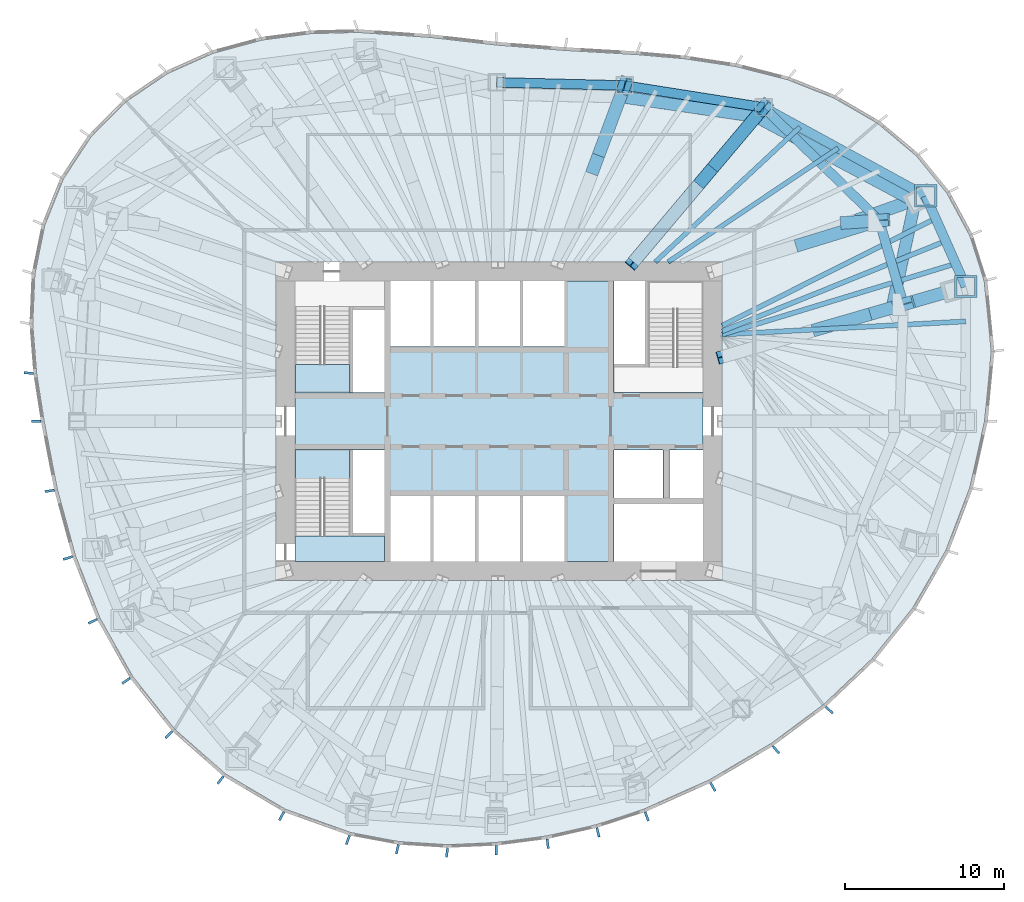
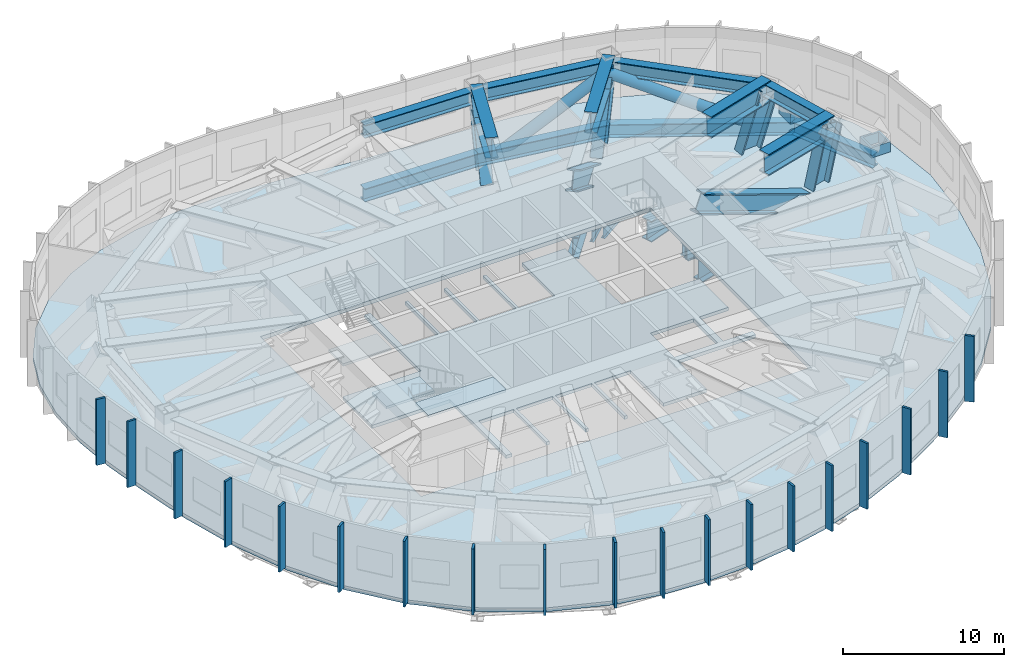
# One storey, part 5 of 12: 22 members, 19 plates, 10 beams, 5 slabs, 2 elements without a shape of their own.
"""IFC4 building model written with IfcOpenShell, lengths in metres."""

from ifc_helpers import new_model, si_unit, direction, frame, origin, origin_2d, place, context, subcontext, project, spatial, polyline, rectangle, hollow_rectangle, hollow_circle, i_section, outline, extrude, material, layer, layer_set, material_profile, profile_set, type_object, element, aggregate, save


model = new_model("IFC4")

# Units and contexts
model_context = context("Model", 3, precision=1e-05, world=origin(), true_north=direction((0.0, 1.0)))
body_context = subcontext(model_context, "Body", "Model", "MODEL_VIEW")
ifc_project = project(units=[si_unit("LENGTHUNIT", "METRE"), si_unit("AREAUNIT", "SQUARE_METRE"), si_unit("VOLUMEUNIT", "CUBIC_METRE"), si_unit("PLANEANGLEUNIT", "RADIAN"), si_unit("MASSUNIT", "GRAM", prefix="KILO")], contexts=[model_context])

# Site, building, storey
site_placement = place(None, origin())
site = spatial("IfcSite", under=ifc_project, at=site_placement, CompositionType="ELEMENT")
building_placement = place(site_placement, origin())
building = spatial("IfcBuilding", under=site, at=building_placement, Name="Ghaith Harvest Tower", CompositionType="ELEMENT")
storey_placement = place(building_placement, frame((0.0, 0.0, 189.800048828125)))
storey = spatial("IfcBuildingStorey", under=building, at=storey_placement, Name="L41", CompositionType="ELEMENT", Elevation=189.800048828125)

# Members
ifc_material_1 = material(Name="Steel S460", Category="steel")
ifc_material_profile_1 = material_profile(ifc_material_1, i_section(OverallWidth=0.60009765625, OverallDepth=1.0, WebThickness=0.02490234375, FlangeThickness=0.050048828125, at=origin_2d()), Name="PG1000X600X25X50")
ifc_profile_set_1 = profile_set([ifc_material_profile_1], Name="Steel S460")
member_type_1 = type_object("IfcMemberType", Name="BCPG1000-600-25-50 PG1000X600X25X50", PredefinedType="CHORD", material=ifc_profile_set_1)
member_1_placement = place(storey_placement, frame((25.3779296875, 7.3349609375, 4.030029296875), z_axis=(-0.278021352648, 0.960574894254, 0.0), x_axis=(-0.960574894254, -0.278021352648, 0.0)))
element("IfcMember", 1, at=member_1_placement, inside=storey, type_object=member_type_1, Name="Belt truss BT02 top chord", PredefinedType="CHORD", context=body_context, shape_type="SweptSolid", body=[
    extrude(i_section(OverallWidth=0.60009765625, OverallDepth=1.0, WebThickness=0.02490234375, FlangeThickness=0.050048828125, at=origin_2d()), origin(), (0.0, 0.0, 1.0), 5.48828125),
])
member_2_placement = place(storey_placement, frame((23.85205078125, 12.60693359375, 4.030029296875), z_axis=(-0.714761249388, 0.699368541166, 0.0), x_axis=(-0.699368541166, -0.714761249388, 0.0)))
element("IfcMember", 2, at=member_2_placement, inside=storey, type_object=member_type_1, Name="Belt truss BT03 top chord", PredefinedType="CHORD", context=body_context, shape_type="SweptSolid", body=[
    extrude(i_section(OverallWidth=0.60009765625, OverallDepth=1.0, WebThickness=0.02490234375, FlangeThickness=0.050048828125, at=origin_2d()), origin(), (0.0, 0.0, 1.0), 10.135009765625),
])
member_3_placement = place(storey_placement, frame((16.60791015625, 19.695068359375, 4.030029296875), z_axis=(-0.987788485872, 0.155800857439, 0.0), x_axis=(-0.155800857439, -0.987788485872, 0.0)))
element("IfcMember", 3, at=member_3_placement, inside=storey, type_object=member_type_1, Name="Belt truss BT04 top chord", PredefinedType="CHORD", context=body_context, shape_type="SweptSolid", body=[
    extrude(i_section(OverallWidth=0.60009765625, OverallDepth=1.0, WebThickness=0.02490234375, FlangeThickness=0.050048828125, at=origin_2d()), origin(), (0.0, 0.0, 1.0), 8.837890625),
])
member_4_placement = place(storey_placement, frame((7.8779296875, 21.072021484375, 4.030029296875), z_axis=(-0.999692679676, 0.024790042413, 0.0), x_axis=(-0.024790042413, -0.999692679676, 0.0)))
element("IfcMember", 4, at=member_4_placement, inside=storey, type_object=member_type_1, Name="Belt truss BT05 top chord", PredefinedType="CHORD", context=body_context, shape_type="SweptSolid", body=[
    extrude(i_section(OverallWidth=0.60009765625, OverallDepth=1.0, WebThickness=0.02490234375, FlangeThickness=0.050048828125, at=origin_2d()), origin(), (0.0, 0.0, 1.0), 8.0263671875),
])
ifc_material_2 = material(Name="Steel ASTM A992 Grade 50", Category="steel")
ifc_material_profile_2 = material_profile(ifc_material_2, hollow_circle(Radius=0.381103515625, WallThickness=0.01904296875, at=origin_2d()), Name="HSS762X19.1")
ifc_profile_set_2 = profile_set([ifc_material_profile_2], Name="Steel ASTM A992 Grade 50")
member_type_2 = type_object("IfcMemberType", Name="BD762 HSS762X19.1", PredefinedType="BRACE", material=ifc_profile_set_2)
member_5_placement = place(storey_placement, frame((24.657470703125, 7.126708984375, 4.030029296875), z_axis=(0.169064393621, 0.781236496841, -0.600904956555), x_axis=(-0.977375801429, 0.211510148177, 0.0)))
element("IfcMember", 5, at=member_5_placement, inside=storey, type_object=member_type_2, Name="Belt truss BT02 diagonal", PredefinedType="BRACE", context=body_context, shape_type="SweptSolid", body=[
    extrude(hollow_circle(Radius=0.381103515625, WallThickness=0.01904296875, at=origin_2d()), origin(), (0.0, 0.0, 1.0), 8.537353515625),
])
member_6_placement = place(storey_placement, frame((26.100830078125, 13.79638671875, -1.10009765625), z_axis=(-0.803385741515, 0.428834148103, 0.413125433435), x_axis=(-0.470897473237, -0.882187944658, 0.0)))
element("IfcMember", 6, at=member_6_placement, inside=storey, type_object=member_type_2, Name="Belt truss BT03 diagonal", PredefinedType="BRACE", context=body_context, shape_type="SweptSolid", body=[
    extrude(hollow_circle(Radius=0.381103515625, WallThickness=0.01904296875, at=origin_2d()), origin(), (0.0, 0.0, 1.0), 12.417724609375),
])
member_7_placement = place(storey_placement, frame((16.12451171875, 19.12158203125, 4.030029296875), z_axis=(-0.849719380239, 0.124606655163, -0.512298893552), x_axis=(-0.145092696063, -0.989418066112, 0.0)))
element("IfcMember", 7, at=member_7_placement, inside=storey, type_object=member_type_2, Name="Belt truss BT04 diagonal", PredefinedType="BRACE", context=body_context, shape_type="SweptSolid", body=[
    extrude(hollow_circle(Radius=0.381103515625, WallThickness=0.01904296875, at=origin_2d()), origin(), (0.0, 0.0, 1.0), 10.013916015625),
])

# Beams
ifc_material_3 = material(Name="Steel S460", Category="steel")
ifc_material_profile_3 = material_profile(ifc_material_3, i_section(OverallWidth=0.60009765625, OverallDepth=1.0, WebThickness=0.02490234375, FlangeThickness=0.050048828125, at=origin_2d()), Name="PG1000X600X25X50")
ifc_profile_set_3 = profile_set([ifc_material_profile_3], Name="Steel S460")
beam_type_1 = type_object("IfcBeamType", Name="EPG1000 PG1000X600X25X50", PredefinedType="SPANDREL", material=ifc_profile_set_3)
beam_1_placement = place(storey_placement, frame((29.285888671875, 8.464111328125, -0.800048828125), z_axis=(-0.405635615749, 0.914034872002, 0.0), x_axis=(-0.914034872002, -0.405635615749, 0.0)))
element("IfcBeam", 8, at=beam_1_placement, inside=storey, type_object=beam_type_1, Name="Edge beam E02 L41", PredefinedType="SPANDREL", context=body_context, shape_type="SweptSolid", body=[
    extrude(i_section(OverallWidth=0.60009765625, OverallDepth=1.0, WebThickness=0.02490234375, FlangeThickness=0.050048828125, at=origin_2d()), origin(), (0.0, 0.0, 1.0), 6.21728515625),
])
beam_2_placement = place(storey_placement, frame((26.763916015625, 14.14697265625, -0.800048828125), z_axis=(-0.877588218279, 0.479415184509, 0.0), x_axis=(-0.479415184509, -0.877588218279, 0.0)))
element("IfcBeam", 9, at=beam_2_placement, inside=storey, type_object=beam_type_1, Name="Edge beam E03 L41", PredefinedType="SPANDREL", context=body_context, shape_type="SweptSolid", body=[
    extrude(i_section(OverallWidth=0.60009765625, OverallDepth=1.0, WebThickness=0.02490234375, FlangeThickness=0.050048828125, at=origin_2d()), origin(), (0.0, 0.0, 1.0), 11.57275390625),
])
beam_3_placement = place(storey_placement, frame((16.60791015625, 19.695068359375, -0.800048828125), z_axis=(-0.987788485872, 0.155800857439, 0.0), x_axis=(-0.155800857439, -0.987788485872, 0.0)))
element("IfcBeam", 10, at=beam_3_placement, inside=storey, type_object=beam_type_1, Name="Edge beam E04 L41", PredefinedType="SPANDREL", context=body_context, shape_type="SweptSolid", body=[
    extrude(i_section(OverallWidth=0.60009765625, OverallDepth=1.0, WebThickness=0.02490234375, FlangeThickness=0.050048828125, at=origin_2d()), origin(), (0.0, 0.0, 1.0), 8.837890625),
])
beam_4_placement = place(storey_placement, frame((7.8779296875, 21.072021484375, -0.800048828125), z_axis=(-0.999692679676, 0.024790042413, 0.0), x_axis=(-0.024790042413, -0.999692679676, 0.0)))
element("IfcBeam", 11, at=beam_4_placement, inside=storey, type_object=beam_type_1, Name="Edge beam E05 L41", PredefinedType="SPANDREL", context=body_context, shape_type="SweptSolid", body=[
    extrude(i_section(OverallWidth=0.60009765625, OverallDepth=1.0, WebThickness=0.02490234375, FlangeThickness=0.050048828125, at=origin_2d()), origin(), (0.0, 0.0, 1.0), 8.0263671875),
])
ifc_material_4 = material(Name="Steel ASTM A992 Grade 50", Category="steel")
ifc_material_profile_4 = material_profile(ifc_material_4, i_section(OverallWidth=0.2939453125, OverallDepth=0.85107421875, WebThickness=0.01611328125, FlangeThickness=0.02685546875, at=origin_2d()), Name="W840X226")
ifc_profile_set_4 = profile_set([ifc_material_profile_4], Name="Steel ASTM A992 Grade 50")
beam_type_2 = type_object("IfcBeamType", Name="J840-226 W840X226", PredefinedType="JOIST", material=ifc_profile_set_4)
beam_5_placement = place(storey_placement, frame((10.60009765625, 10.0, -0.7255859375), z_axis=(0.831116486766, 0.556098359489, 0.0), x_axis=(-0.556098359489, 0.831116486766, 0.0)))
element("IfcBeam", 12, at=beam_5_placement, inside=storey, type_object=beam_type_2, Name="Joist J03.2 L41", PredefinedType="JOIST", context=body_context, shape_type="SweptSolid", body=[
    extrude(i_section(OverallWidth=0.2939453125, OverallDepth=0.85107421875, WebThickness=0.01611328125, FlangeThickness=0.02685546875, at=origin_2d()), origin(), (0.0, 0.0, 1.0), 12.84716796875),
])
beam_6_placement = place(storey_placement, frame((9.800048828125, 10.0, -0.7255859375), z_axis=(0.731538123562, 0.681800538116, 0.0), x_axis=(-0.681800538116, 0.731538123562, 0.0)))
element("IfcBeam", 13, at=beam_6_placement, inside=storey, type_object=beam_type_2, Name="Joist J03.3 L41", PredefinedType="JOIST", context=body_context, shape_type="SweptSolid", body=[
    extrude(i_section(OverallWidth=0.2939453125, OverallDepth=0.85107421875, WebThickness=0.01611328125, FlangeThickness=0.02685546875, at=origin_2d()), origin(), (0.0, 0.0, 1.0), 12.404052734375),
])
ifc_material_5 = material(Name="Steel ASTM A992 Grade 50", Category="steel")
ifc_material_profile_5 = material_profile(ifc_material_5, i_section(OverallWidth=0.31005859375, OverallDepth=0.927001953125, WebThickness=0.019287109375, FlangeThickness=0.031982421875, at=origin_2d()), Name="W920X289")
ifc_profile_set_5 = profile_set([ifc_material_profile_5], Name="Steel ASTM A992 Grade 50")
beam_type_3 = type_object("IfcBeamType", Name="J920-289 W920X289", PredefinedType="JOIST", material=ifc_profile_set_5)
beam_7_placement = place(storey_placement, frame((14.0, 5.4462890625, -0.763427734375), z_axis=(0.998543876523, 0.053945589801, 0.0), x_axis=(-0.053945589801, 0.998543876523, 0.0)))
element("IfcBeam", 14, at=beam_7_placement, inside=storey, type_object=beam_type_3, Name="Joist J01.3 L41", PredefinedType="JOIST", context=body_context, shape_type="SweptSolid", body=[
    extrude(i_section(OverallWidth=0.31005859375, OverallDepth=0.927001953125, WebThickness=0.019287109375, FlangeThickness=0.031982421875, at=origin_2d()), origin(), (0.0, 0.0, 1.0), 15.30126953125),
])
beam_8_placement = place(storey_placement, frame((14.0, 5.4462890625, -0.763427734375), z_axis=(0.956839412135, 0.290617169804, 0.0), x_axis=(-0.290617169804, 0.956839412135, 0.0)))
element("IfcBeam", 15, at=beam_8_placement, inside=storey, type_object=beam_type_3, Name="Joist J02.1 L41", PredefinedType="JOIST", context=body_context, shape_type="SweptSolid", body=[
    extrude(i_section(OverallWidth=0.31005859375, OverallDepth=0.927001953125, WebThickness=0.019287109375, FlangeThickness=0.031982421875, at=origin_2d()), origin(), (0.0, 0.0, 1.0), 15.311279296875),
])
beam_9_placement = place(storey_placement, frame((14.0, 5.653564453125, -0.763427734375), z_axis=(0.927247874511, 0.374448099495, 0.0), x_axis=(-0.374448099495, 0.927247874511, 0.0)))
element("IfcBeam", 16, at=beam_9_placement, inside=storey, type_object=beam_type_3, Name="Joist J02.2 L41", PredefinedType="JOIST", context=body_context, shape_type="SweptSolid", body=[
    extrude(i_section(OverallWidth=0.31005859375, OverallDepth=0.927001953125, WebThickness=0.019287109375, FlangeThickness=0.031982421875, at=origin_2d()), origin(), (0.0, 0.0, 1.0), 15.12060546875),
])
beam_10_placement = place(storey_placement, frame((14.0, 6.0, -0.763427734375), z_axis=(0.893536072457, 0.448991411074, 0.0), x_axis=(-0.448991411074, 0.893536072457, 0.0)))
element("IfcBeam", 17, at=beam_10_placement, inside=storey, type_object=beam_type_3, Name="Joist J02.3 L41", PredefinedType="JOIST", context=body_context, shape_type="SweptSolid", body=[
    extrude(i_section(OverallWidth=0.31005859375, OverallDepth=0.927001953125, WebThickness=0.019287109375, FlangeThickness=0.031982421875, at=origin_2d()), origin(), (0.0, 0.0, 1.0), 14.988525390625),
])

# Members
ifc_material_6 = material(Name="Steel S690QL", Category="steel")
ifc_material_profile_6 = material_profile(ifc_material_6, hollow_rectangle(XDim=1.39990234375, YDim=1.39990234375, WallThickness=0.139892578125, at=origin_2d()), Name="BOX1400X1400X140")
ifc_profile_set_6 = profile_set([ifc_material_profile_6], Name="Steel S690QL")
member_type_3 = type_object("IfcMemberType", Name="KN2 BOX1400X1400X140", PredefinedType="USERDEFINED", material=ifc_profile_set_6)
for number, where, z_axis, x_axis, name in (
    (18, (29.285888671875, 8.464111328125, -0.775146484375), (0.0, 0.0, 1.0), (1.0, 0.0, 0.0), "Raked column kink node C02 base L41"),
    (19, (26.763916015625, 14.14697265625, -0.775146484375), (0.0, 0.0, 1.0), (1.0, 0.0, 0.0), "Raked column kink node C03 base L41"),
):
    element("IfcMember", number, at=place(storey_placement, frame(where, z_axis=z_axis, x_axis=x_axis)), inside=storey, type_object=member_type_3, Name=name, ObjectType="KINK NODE", PredefinedType="USERDEFINED", context=body_context, shape_type="SweptSolid", body=[
        extrude(hollow_rectangle(XDim=1.39990234375, YDim=1.39990234375, WallThickness=0.139892578125, at=origin_2d()), origin(), (0.0, 0.0, 1.0), 1.550048828125),
    ])
ifc_material_7 = material(Name="Steel S460", Category="steel")
ifc_material_profile_7 = material_profile(ifc_material_7, i_section(OverallWidth=0.800048828125, OverallDepth=1.60009765625, WebThickness=0.0400390625, FlangeThickness=0.080078125, at=origin_2d()), Name="PG1600X800X40X80")
ifc_profile_set_7 = profile_set([ifc_material_profile_7], Name="Steel S460")
member_type_4 = type_object("IfcMemberType", Name="OC1600 PG1600X800X40X80", PredefinedType="CHORD", material=ifc_profile_set_7)
member_8_placement = place(storey_placement, frame((14.0, 4.04638671875, -1.10009765625), z_axis=(0.960683993303, 0.27764413376, 0.0), x_axis=(-0.27764413376, 0.960683993303, 0.0)))
element("IfcMember", 20, at=member_8_placement, inside=storey, type_object=member_type_4, Name="Outrigger truss OT02 bottom chord", PredefinedType="CHORD", context=body_context, shape_type="SweptSolid", body=[
    extrude(i_section(OverallWidth=0.800048828125, OverallDepth=1.60009765625, WebThickness=0.0400390625, FlangeThickness=0.080078125, at=origin_2d()), origin(), (0.0, 0.0, 1.0), 15.911376953125),
])
member_9_placement = place(storey_placement, frame((19.68896484375, 5.690673828125, 4.030029296875), z_axis=(0.960677776578, 0.277665643518, 0.0), x_axis=(-0.277665643518, 0.960677776578, 0.0)))
element("IfcMember", 21, at=member_9_placement, inside=storey, type_object=member_type_4, Name="Outrigger truss OT02 top chord 2", PredefinedType="CHORD", context=body_context, shape_type="SweptSolid", body=[
    extrude(i_section(OverallWidth=0.800048828125, OverallDepth=1.60009765625, WebThickness=0.0400390625, FlangeThickness=0.080078125, at=origin_2d()), origin(), (0.0, 0.0, 1.0), 5.921875),
])
member_10_placement = place(storey_placement, frame((13.39990234375, 9.39990234375, -1.10009765625), z_axis=(0.942316561445, 0.334723016875, 0.0), x_axis=(-0.334723016875, 0.942316561445, 0.0)))
element("IfcMember", 22, at=member_10_placement, inside=storey, type_object=member_type_4, Name="Outrigger truss OT03 bottom chord", PredefinedType="CHORD", context=body_context, shape_type="SweptSolid", body=[
    extrude(i_section(OverallWidth=0.800048828125, OverallDepth=1.60009765625, WebThickness=0.0400390625, FlangeThickness=0.080078125, at=origin_2d()), origin(), (0.0, 0.0, 1.0), 14.18212890625),
])
member_11_placement = place(storey_placement, frame((18.6259765625, 11.00341796875, 4.030029296875), z_axis=(0.956010465619, 0.293332558076, 0.0), x_axis=(-0.293332558076, 0.956010465619, 0.0)))
element("IfcMember", 23, at=member_11_placement, inside=storey, type_object=member_type_4, Name="Outrigger truss OT03 top chord 2", PredefinedType="CHORD", context=body_context, shape_type="SweptSolid", body=[
    extrude(i_section(OverallWidth=0.800048828125, OverallDepth=1.60009765625, WebThickness=0.0400390625, FlangeThickness=0.080078125, at=origin_2d()), origin(), (0.0, 0.0, 1.0), 5.466552734375),
])
member_12_placement = place(storey_placement, frame((8.4326171875, 10.0, -1.10009765625), z_axis=(0.644644245772, 0.764482698557, 0.0), x_axis=(-0.764482698557, 0.644644245772, 0.0)))
element("IfcMember", 24, at=member_12_placement, inside=storey, type_object=member_type_4, Name="Outrigger truss OT04 bottom chord", PredefinedType="CHORD", context=body_context, shape_type="SweptSolid", body=[
    extrude(i_section(OverallWidth=0.800048828125, OverallDepth=1.60009765625, WebThickness=0.0400390625, FlangeThickness=0.080078125, at=origin_2d()), origin(), (0.0, 0.0, 1.0), 12.681884765625),
])
member_13_placement = place(storey_placement, frame((12.5205078125, 14.847412109375, 4.030029296875), z_axis=(0.644612255488, 0.764509672976, 0.0), x_axis=(-0.764509672976, 0.644612255488, 0.0)))
element("IfcMember", 25, at=member_13_placement, inside=storey, type_object=member_type_4, Name="Outrigger truss OT04 top chord 2", PredefinedType="CHORD", context=body_context, shape_type="SweptSolid", body=[
    extrude(i_section(OverallWidth=0.800048828125, OverallDepth=1.60009765625, WebThickness=0.0400390625, FlangeThickness=0.080078125, at=origin_2d()), origin(), (0.0, 0.0, 1.0), 6.3408203125),
])
member_14_placement = place(storey_placement, frame((5.80810546875, 15.535888671875, 4.030029296875), z_axis=(0.350199807211, 0.936675021034, 0.0), x_axis=(-0.936675021034, 0.350199807211, 0.0)))
element("IfcMember", 26, at=member_14_placement, inside=storey, type_object=member_type_4, Name="Outrigger truss OT05 top chord 2", PredefinedType="CHORD", context=body_context, shape_type="SweptSolid", body=[
    extrude(i_section(OverallWidth=0.800048828125, OverallDepth=1.60009765625, WebThickness=0.0400390625, FlangeThickness=0.080078125, at=origin_2d()), origin(), (0.0, 0.0, 1.0), 5.910400390625),
])
ifc_material_8 = material(Name="Steel S460", Category="steel")
ifc_material_profile_8 = material_profile(ifc_material_8, i_section(OverallWidth=0.800048828125, OverallDepth=1.39990234375, WebThickness=0.050048828125, FlangeThickness=0.10009765625, at=origin_2d()), Name="PG1400X800X50X100")
ifc_profile_set_8 = profile_set([ifc_material_profile_8], Name="Steel S460")
member_type_5 = type_object("IfcMemberType", Name="OD1400 PG1400X800X50X100", PredefinedType="BRACE", material=ifc_profile_set_8)
member_15_placement = place(storey_placement, frame((14.0, 4.04638671875, 4.030029296875), z_axis=(0.860628082924, 0.248712359222, -0.444366363773), x_axis=(-0.277628738535, 0.960688442493, 0.0)))
element("IfcMember", 27, at=member_15_placement, inside=storey, type_object=member_type_5, Name="Outrigger truss OT02 diagonal 1", PredefinedType="BRACE", context=body_context, shape_type="SweptSolid", body=[
    extrude(i_section(OverallWidth=0.800048828125, OverallDepth=1.39990234375, WebThickness=0.050048828125, FlangeThickness=0.10009765625, at=origin_2d()), origin(), (0.0, 0.0, 1.0), 11.544921875),
])
member_16_placement = place(storey_placement, frame((23.935791015625, 6.917724609375, -1.10009765625), z_axis=(0.26979649415, 0.078056916963, 0.95974838862), x_axis=(-0.277919871501, 0.960604260362, 0.0)))
element("IfcMember", 28, at=member_16_placement, inside=storey, type_object=member_type_5, Name="Outrigger truss OT02 diagonal 2", PredefinedType="BRACE", context=body_context, shape_type="SweptSolid", body=[
    extrude(i_section(OverallWidth=0.800048828125, OverallDepth=1.39990234375, WebThickness=0.050048828125, FlangeThickness=0.10009765625, at=origin_2d()), origin(), (0.0, 0.0, 1.0), 5.34521484375),
])
member_17_placement = place(storey_placement, frame((22.086669921875, 12.485595703125, -1.10009765625), z_axis=(0.32531155341, 0.022359264562, 0.94534250751), x_axis=(-0.068570075, 0.997646302461, 0.0)))
element("IfcMember", 29, at=member_17_placement, inside=storey, type_object=member_type_5, Name="Outrigger truss OT03 diagonal 2", PredefinedType="BRACE", context=body_context, shape_type="SweptSolid", body=[
    extrude(i_section(OverallWidth=0.800048828125, OverallDepth=1.39990234375, WebThickness=0.050048828125, FlangeThickness=0.10009765625, at=origin_2d()), origin(), (0.0, 0.0, 1.0), 5.4267578125),
])
member_18_placement = place(storey_placement, frame((8.4326171875, 10.0, 4.030029296875), z_axis=(0.547312292576, 0.649050119267, -0.528377892304), x_axis=(-0.764479392767, 0.644648166084, 0.0)))
element("IfcMember", 30, at=member_18_placement, inside=storey, type_object=member_type_5, Name="Outrigger truss OT04 diagonal 1", PredefinedType="BRACE", context=body_context, shape_type="SweptSolid", body=[
    extrude(i_section(OverallWidth=0.800048828125, OverallDepth=1.39990234375, WebThickness=0.050048828125, FlangeThickness=0.10009765625, at=origin_2d()), origin(), (0.0, 0.0, 1.0), 9.709228515625),
])
member_19_placement = place(storey_placement, frame((13.74658203125, 16.3017578125, -1.10009765625), z_axis=(0.421788326866, 0.500207845999, 0.756231920856), x_axis=(-0.764488837802, 0.64463696518, 0.0)))
element("IfcMember", 31, at=member_19_placement, inside=storey, type_object=member_type_5, Name="Outrigger truss OT04 diagonal 2", PredefinedType="BRACE", context=body_context, shape_type="SweptSolid", body=[
    extrude(i_section(OverallWidth=0.800048828125, OverallDepth=1.39990234375, WebThickness=0.050048828125, FlangeThickness=0.10009765625, at=origin_2d()), origin(), (0.0, 0.0, 1.0), 6.78369140625),
])
member_20_placement = place(storey_placement, frame((6.42919921875, 17.19677734375, -1.10009765625), z_axis=(0.219821406555, 0.588005592559, 0.77841375395), x_axis=(-0.936685187451, 0.35017261402, 0.0)))
element("IfcMember", 32, at=member_20_placement, inside=storey, type_object=member_type_5, Name="Outrigger truss OT05 diagonal 2", PredefinedType="BRACE", context=body_context, shape_type="SweptSolid", body=[
    extrude(i_section(OverallWidth=0.800048828125, OverallDepth=1.39990234375, WebThickness=0.050048828125, FlangeThickness=0.10009765625, at=origin_2d()), origin(), (0.0, 0.0, 1.0), 6.590576171875),
])

# Slabs
ifc_material_9 = material(Name="Concrete C40/50", Category="concrete")
ifc_layer_1 = layer(ifc_material_9, 0.25)
ifc_layer_set_1 = layer_set([ifc_layer_1], Name="FLOOR SLAB 250")
slab_type_1 = type_object("IfcSlabType", Name="FLOOR SLAB 250", PredefinedType="FLOOR", material=ifc_layer_set_1)
slab_1_placement = place(storey_placement, frame((0.0, 0.0, -0.25)))
element("IfcSlab", 33, at=slab_1_placement, inside=storey, type_object=slab_type_1, Name="Core slab L41", PredefinedType="FLOOR", context=body_context, shape_type="SweptSolid", body=[
    extrude(outline(polyline([(-12.800048828125, 1.800048828125), (-7.199951171875, 1.800048828125), (-7.199951171875, 8.800048828125), (-6.800048828125, 8.800048828125), (-6.800048828125, 4.699951171875), (-4.300048828125, 4.699951171875), (-4.300048828125, 8.800048828125), (-4.10009765625, 8.800048828125), (-4.10009765625, 4.699951171875), (-1.5, 4.699951171875), (-1.5, 8.800048828125), (-1.300048828125, 8.800048828125), (-1.300048828125, 4.699951171875), (1.300048828125, 4.699951171875), (1.300048828125, 8.800048828125), (1.5, 8.800048828125), (1.5, 4.699951171875), (4.10009765625, 4.699951171875), (4.10009765625, 8.800048828125), (7.199951171875, 8.800048828125), (7.199951171875, 1.800048828125), (12.800048828125, 1.800048828125), (12.800048828125, -1.800048828125), (10.699951171875, -1.800048828125), (10.699951171875, -4.800048828125), (12.800048828125, -4.800048828125), (12.800048828125, -5.199951171875), (7.199951171875, -5.199951171875), (7.199951171875, -8.800048828125), (4.10009765625, -8.800048828125), (4.10009765625, -4.699951171875), (1.5, -4.699951171875), (1.5, -8.800048828125), (1.300048828125, -8.800048828125), (1.300048828125, -4.699951171875), (-1.300048828125, -4.699951171875), (-1.300048828125, -8.800048828125), (-1.5, -8.800048828125), (-1.5, -4.699951171875), (-4.10009765625, -4.699951171875), (-4.10009765625, -8.800048828125), (-4.300048828125, -8.800048828125), (-4.300048828125, -4.699951171875), (-6.800048828125, -4.699951171875), (-6.800048828125, -8.800048828125), (-7.199951171875, -8.800048828125), (-7.199951171875, -1.800048828125), (-12.800048828125, -1.800048828125), (-12.800048828125, 1.800048828125)]), holes=[polyline([(10.300048828125, -4.800048828125), (10.300048828125, -1.800048828125), (7.199951171875, -1.800048828125), (7.199951171875, -4.800048828125), (10.300048828125, -4.800048828125)])]), origin(), (0.0, 0.0, 1.0), 0.25),
])
ifc_material_10 = material(Name="Concrete C40/50", Category="concrete")
ifc_layer_2 = layer(ifc_material_10, 0.300048828125)
ifc_layer_set_2 = layer_set([ifc_layer_2], Name="FLOOR SLAB 300")
slab_type_2 = type_object("IfcSlabType", Name="FLOOR SLAB 300", PredefinedType="FLOOR", material=ifc_layer_set_2)
slab_2_placement = place(storey_placement, frame((0.0, 0.0, -0.300048828125)))
element("IfcSlab", 34, at=slab_2_placement, inside=storey, type_object=slab_type_2, Name="Floor slab L41", PredefinedType="FLOOR", context=body_context, shape_type="SweptSolid", body=[
    extrude(outline(polyline([(30.458740234375, 0.0), (30.8798828125, 4.373046875), (30.439208984375, 8.797607421875), (29.52294921875, 11.671875), (28.0888671875, 14.32568359375), (26.179443359375, 16.660888671875), (23.7275390625, 18.718017578125), (20.97998046875, 20.3056640625), (18.0849609375, 21.4462890625), (14.79833984375, 22.27978515625), (11.617919921875, 22.757080078125), (8.604736328125, 23.017333984375), (4.125732421875, 23.272705078125), (-0.16162109375, 23.609619140625), (-4.302001953125, 24.089111328125), (-8.814208984375, 24.404541015625), (-11.788818359375, 24.331787109375), (-14.860595703125, 23.927978515625), (-17.938232421875, 23.097412109375), (-20.79248046875, 21.82470703125), (-23.398193359375, 20.06103515625), (-25.61962890625, 17.826416015625), (-27.33837890625, 15.204833984375), (-28.506591796875, 12.29638671875), (-29.12646484375, 9.230712890625), (-29.260498046875, 6.07177734375), (-29.01171875, 2.978271484375), (-28.541259765625, 0.0), (-27.70947265625, -4.285888671875), (-26.580078125, -8.423583984375), (-25.046875, -12.32861328125), (-22.99169921875, -15.997802734375), (-20.35400390625, -19.31396484375), (-17.1728515625, -22.11181640625), (-13.4052734375, -24.33740234375), (-9.317138671875, -25.79638671875), (-6.2666015625, -26.366455078125), (-3.204833984375, -26.556884765625), (-0.180908203125, -26.423583984375), (2.99609375, -26.010009765625), (6.09228515625, -25.308837890625), (9.09423828125, -24.326904296875), (13.163818359375, -22.510498046875), (17.054443359375, -20.22412109375), (20.33935546875, -17.784912109375), (23.400390625, -14.89208984375), (25.94775390625, -11.714111328125), (28.03125, -8.1015625), (29.527099609375, -4.181396484375), (30.458740234375, 0.0)]), holes=[polyline([(-14.0, -10.0), (14.0, -10.0), (14.0, 10.0), (-14.0, 10.0), (-14.0, -10.0)])]), origin(), (0.0, 0.0, 1.0), 0.300048828125),
])

# Stair, slab
ifc_material_11 = material(Name="Concrete C40/50, precast", Category="concrete")
stair_type = type_object("IfcStairType", Name="CORE STAIR 28R", PredefinedType="HALF_TURN_STAIR", material=ifc_material_11)
stair_1_placement = place(storey_placement, origin())
stair_1 = element("IfcStair", 35, at=stair_1_placement, inside=storey, type_object=stair_type, Name="Stair ST1 L41", PredefinedType="HALF_TURN_STAIR")
ifc_material_12 = material(Name="Concrete C40/50, precast", Category="concrete")
ifc_layer_3 = layer(ifc_material_12, 0.179931640625)
ifc_layer_set_3 = layer_set([ifc_layer_3], Name="STAIR LANDING 180")
slab_type_3 = type_object("IfcSlabType", Name="STAIR LANDING 180", PredefinedType="LANDING", material=ifc_layer_set_3)
slab_3_placement = place(storey_placement, frame((0.0, 0.0, 2.320068359375)))
slab_3 = element("IfcSlab", 36, at=slab_3_placement, type_object=slab_type_3, Name="ST1 landing 1", PredefinedType="LANDING", context=body_context, shape_type="SweptSolid", body=[
    extrude(outline(polyline([(-12.800048828125, 3.580078125), (-12.800048828125, 1.77490234375), (-9.35009765625, 1.77490234375), (-9.35009765625, 3.580078125), (-12.800048828125, 3.580078125)])), origin(), (0.0, 0.0, 1.0), 0.179931640625),
])
aggregate(stair_1, [slab_3])

# Stair, slabs
stair_2_placement = place(storey_placement, origin())
stair_2 = element("IfcStair", 37, at=stair_2_placement, inside=storey, type_object=stair_type, Name="Stair ST3 L41", PredefinedType="HALF_TURN_STAIR")
slab_4_placement = place(storey_placement, frame((0.0, 0.0, 2.320068359375)))
slab_4 = element("IfcSlab", 38, at=slab_4_placement, type_object=slab_type_3, Name="ST3 landing 1", PredefinedType="LANDING", context=body_context, shape_type="SweptSolid", body=[
    extrude(outline(polyline([(-12.800048828125, -3.580078125), (-12.800048828125, -1.77490234375), (-9.35009765625, -1.77490234375), (-9.35009765625, -3.580078125), (-12.800048828125, -3.580078125)])), origin(), (0.0, 0.0, 1.0), 0.179931640625),
])
slab_5_placement = place(storey_placement, frame((0.0, 0.0, 4.820068359375)))
slab_5 = element("IfcSlab", 39, at=slab_5_placement, type_object=slab_type_3, Name="ST3 landing 2", PredefinedType="LANDING", context=body_context, shape_type="SweptSolid", body=[
    extrude(outline(polyline([(-12.800048828125, -8.800048828125), (-12.800048828125, -7.199951171875), (-7.199951171875, -7.199951171875), (-7.199951171875, -8.800048828125), (-12.800048828125, -8.800048828125)])), origin(), (0.0, 0.0, 1.0), 0.179931640625),
])
aggregate(stair_2, [slab_4, slab_5])

# Plates
ifc_material_13 = material(Name="Glassfibre-reinforced concrete", Category="concrete")
ifc_layer_4 = layer(ifc_material_13, 0.14990234375)
ifc_layer_set_4 = layer_set([ifc_layer_4], Name="SUN-BREAKER FIN 600x150")
plate_type = type_object("IfcPlateType", Name="SUN-BREAKER FIN 600x150", PredefinedType="USERDEFINED", material=ifc_layer_set_4)
for number, where, z_axis, x_axis, name in (
    (40, (-29.509033203125, 3.029296875, 0.0), (0.0, 0.0, 1.0), (-0.994771752973, 0.102123256344, 0.0), "Sun-breaker fin 10.3 L41"),
    (41, (-29.041259765625, 0.0, 0.0), (0.0, 0.0, 1.0), (-1.0, -4.19e-10, 0.0), "Sun-breaker fin 11.1 L41"),
    (42, (-28.20361328125, -4.3623046875, 0.0), (0.0, 0.0, 1.0), (-0.988249265011, -0.152850875709, 0.0), "Sun-breaker fin 11.2 L41"),
    (43, (-27.056884765625, -8.57470703125, 0.0), (0.0, 0.0, 1.0), (-0.953273219416, -0.302109531701, 0.0), "Sun-breaker fin 12.1 L41"),
    (44, (-25.495361328125, -12.54931640625, 0.0), (0.0, 0.0, 1.0), (-0.897201221415, -0.441621974421, 0.0), "Sun-breaker fin 12.2 L41"),
    (45, (-23.402099609375, -16.283203125, 0.0), (0.0, 0.0, 1.0), (-0.820845486622, -0.571150319173, 0.0), "Sun-breaker fin 13.1 L41"),
    (46, (-20.716796875, -19.658203125, 0.0), (0.0, 0.0, 1.0), (-0.725396334808, -0.688331429943, 0.0), "Sun-breaker fin 13.2 L41"),
    (47, (-17.4794921875, -22.5068359375, 0.0), (0.0, 0.0, 1.0), (-0.613377713774, -0.789789706343, 0.0), "Sun-breaker fin 14.1 L41"),
    (48, (-13.646484375, -24.775390625, 0.0), (0.0, 0.0, 1.0), (-0.48246241765, -0.875916671582, 0.0), "Sun-breaker fin 14.2 L41"),
    (49, (-9.487060546875, -26.266845703125, 0.0), (0.0, 0.0, 1.0), (-0.33969945263, -0.940534040789, 0.0), "Sun-breaker fin 15.1 L41"),
    (50, (-6.38232421875, -26.852783203125, 0.0), (0.0, 0.0, 1.0), (-0.231234278264, -0.972898097724, 0.0), "Sun-breaker fin 15.2 L41"),
    (51, (-3.2646484375, -27.053466796875, 0.0), (0.0, 0.0, 1.0), (-0.119806501119, -0.992797261423, 0.0), "Sun-breaker fin 15.3 L41"),
    (52, (-0.184326171875, -26.923583984375, 0.0), (0.0, 0.0, 1.0), (-0.006843747957, -0.999976581283, 0.0), "Sun-breaker fin 16.1 L41"),
    (53, (3.053466796875, -26.5068359375, 0.0), (0.0, 0.0, 1.0), (0.114436255493, -0.993430593161, 0.0), "Sun-breaker fin 16.2 L41"),
    (54, (6.209228515625, -25.794921875, 0.0), (0.0, 0.0, 1.0), (0.234028131836, -0.972229825458, 0.0), "Sun-breaker fin 16.3 L41"),
    (55, (9.269287109375, -24.795166015625, 0.0), (0.0, 0.0, 1.0), (0.35016769691, -0.93668702566, 0.0), "Sun-breaker fin 17.1 L41"),
    (56, (13.416259765625, -22.94189453125, 0.0), (0.0, 0.0, 1.0), (0.504810548935, -0.863230160319, 0.0), "Sun-breaker fin 17.2 L41"),
    (57, (17.376953125, -20.6064453125, 0.0), (0.0, 0.0, 1.0), (0.644657240069, -0.764471741025, 0.0), "Sun-breaker fin 18.1 L41"),
    (58, (20.7158203125, -18.11376953125, 0.0), (0.0, 0.0, 1.0), (0.752799445098, -0.658249949077, 0.0), "Sun-breaker fin 18.2 L41"),
):
    element("IfcPlate", number, at=place(storey_placement, frame(where, z_axis=z_axis, x_axis=x_axis)), inside=storey, type_object=plate_type, Name=name, ObjectType="SUN-BREAKER FIN", PredefinedType="USERDEFINED", context=body_context, shape_type="SweptSolid", body=[
        extrude(rectangle(XDim=0.60009765625, YDim=0.14990234375, at=origin_2d()), origin(), (0.0, 0.0, 1.0), 5.0),
    ])

save(model, "model.ifc")
